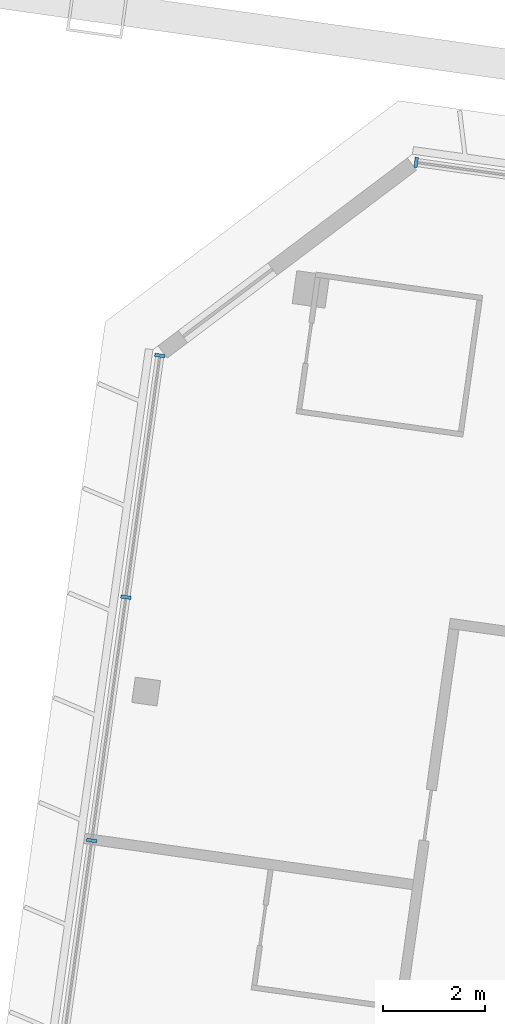
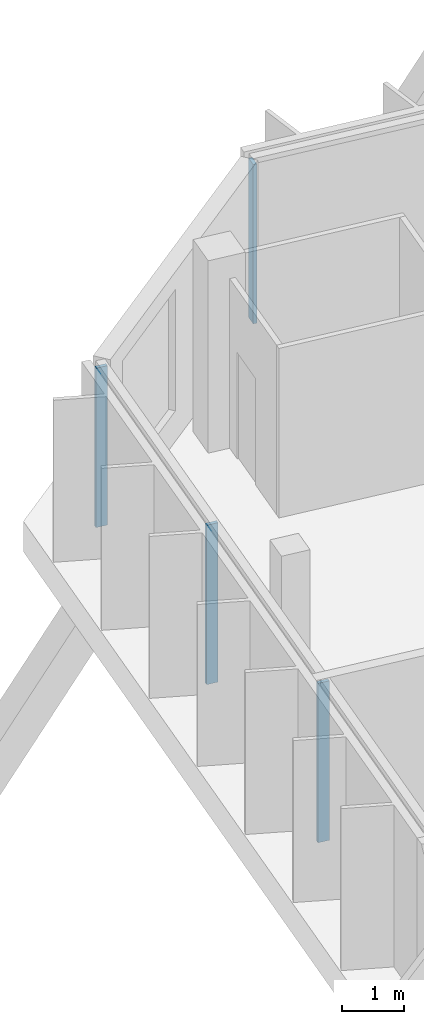
# One storey, part 5 of 28: 4 members, 2 elements without a shape of their own.
"""IFC4 building model written with IfcOpenShell, lengths in metres."""

from ifc_helpers import new_model, si_unit, direction, frame, origin, origin_2d, place, context, subcontext, project, spatial, rectangle, extrude, material, material_profile, profile_set, type_object, element, aggregate, save


model = new_model("IFC4")

# Units and contexts
model_context = context("Model", 3, precision=1e-05, world=origin(), true_north=direction((0.0, 1.0)))
body_context = subcontext(model_context, "Body", "Model", "MODEL_VIEW")
ifc_project = project(units=[si_unit("LENGTHUNIT", "METRE"), si_unit("AREAUNIT", "SQUARE_METRE"), si_unit("VOLUMEUNIT", "CUBIC_METRE"), si_unit("PLANEANGLEUNIT", "RADIAN"), si_unit("MASSUNIT", "GRAM", prefix="KILO")], contexts=[model_context])

# Site, building, storey
site_placement = place(None, origin())
site = spatial("IfcSite", under=ifc_project, at=site_placement, CompositionType="ELEMENT")
building_placement = place(site_placement, origin())
building = spatial("IfcBuilding", under=site, at=building_placement, Name="Mirante Cascada Hotel Towers", CompositionType="ELEMENT")
storey_placement = place(building_placement, frame((0.0, 0.0, 243.2)))
storey = spatial("IfcBuildingStorey", under=building, at=storey_placement, Name="L58", CompositionType="ELEMENT", Elevation=243.2)

# Curtain wall, member
ifc_material_1 = material(Name="Aluminium mullion and transom frame with clear laminated glass", Category="aluminium")
curtain_wall_type_1 = type_object("IfcCurtainWallType", Name="Ribbon curtain wall ECW1", PredefinedType="NOTDEFINED", material=ifc_material_1)
curtain_wall_1_placement = place(storey_placement, origin())
curtain_wall_1 = element("IfcCurtainWall", 1, at=curtain_wall_1_placement, inside=storey, type_object=curtain_wall_type_1, Name="Front ribbon wall T1 L58", PredefinedType="NOTDEFINED")
ifc_material_2 = material(Name="Anodised aluminium extrusion", Category="aluminium")
ifc_material_profile_1 = material_profile(ifc_material_2, rectangle(XDim=0.2, YDim=0.065, at=origin_2d()), Name="ECW1 MULLION 65x200")
ifc_profile_set_1 = profile_set([ifc_material_profile_1], Name="Anodised aluminium extrusion")
member_type_1 = type_object("IfcMemberType", Name="ECW1 mullion 65x200", PredefinedType="MULLION", material=ifc_profile_set_1)
member_1_placement = place(storey_placement, frame((-58.4763, 21.0373, 0.1), z_axis=(0.0, 0.0, 1.0), x_axis=(0.1391731, 0.9902681, 0.0)))
member_1 = element("IfcMember", 2, at=member_1_placement, type_object=member_type_1, Name="ECW1 mullion 1", PredefinedType="MULLION", context=body_context, shape_type="SweptSolid", body=[
    extrude(rectangle(XDim=0.2, YDim=0.065, at=origin_2d()), origin(), (0.0, 0.0, 1.0), 3.15),
])
aggregate(curtain_wall_1, [member_1])

# Curtain wall, members
ifc_material_3 = material(Name="Aluminium mullion and transom frame with clear laminated glass", Category="aluminium")
curtain_wall_type_2 = type_object("IfcCurtainWallType", Name="End ribbon curtain wall ECW2", PredefinedType="NOTDEFINED", material=ifc_material_3)
curtain_wall_2_placement = place(storey_placement, origin())
curtain_wall_2 = element("IfcCurtainWall", 3, at=curtain_wall_2_placement, inside=storey, type_object=curtain_wall_type_2, Name="Outer end wall T1 L58", PredefinedType="NOTDEFINED")
ifc_material_4 = material(Name="Anodised aluminium extrusion", Category="aluminium")
ifc_material_profile_2 = material_profile(ifc_material_4, rectangle(XDim=0.2, YDim=0.065, at=origin_2d()), Name="ECW2 MULLION 65x200")
ifc_profile_set_2 = profile_set([ifc_material_profile_2], Name="Anodised aluminium extrusion")
member_type_2 = type_object("IfcMemberType", Name="ECW2 mullion 65x200", PredefinedType="MULLION", material=ifc_profile_set_2)
member_2_placement = place(storey_placement, frame((-64.8313, 7.7551, 0.1), z_axis=(0.0, 0.0, 1.0), x_axis=(-0.9902681, 0.1391731, 0.0)))
member_2 = element("IfcMember", 4, at=member_2_placement, type_object=member_type_2, Name="ECW2 mullion 5", PredefinedType="MULLION", context=body_context, shape_type="SweptSolid", body=[
    extrude(rectangle(XDim=0.2, YDim=0.065, at=origin_2d()), origin(), (0.0, 0.0, 1.0), 3.15),
])
member_3_placement = place(storey_placement, frame((-64.1615, 12.5209, 0.1), z_axis=(0.0, 0.0, 1.0), x_axis=(-0.9902681, 0.1391731, 0.0)))
member_3 = element("IfcMember", 5, at=member_3_placement, type_object=member_type_2, Name="ECW2 mullion 6", PredefinedType="MULLION", context=body_context, shape_type="SweptSolid", body=[
    extrude(rectangle(XDim=0.2, YDim=0.065, at=origin_2d()), origin(), (0.0, 0.0, 1.0), 3.15),
])
member_4_placement = place(storey_placement, frame((-63.4963, 17.2545, 0.1), z_axis=(0.0, 0.0, 1.0), x_axis=(-0.9902681, 0.1391731, 0.0)))
member_4 = element("IfcMember", 6, at=member_4_placement, type_object=member_type_2, Name="ECW2 mullion 7", PredefinedType="MULLION", context=body_context, shape_type="SweptSolid", body=[
    extrude(rectangle(XDim=0.2, YDim=0.065, at=origin_2d()), origin(), (0.0, 0.0, 1.0), 3.15),
])
aggregate(curtain_wall_2, [member_2, member_3, member_4])

save(model, "model.ifc")
